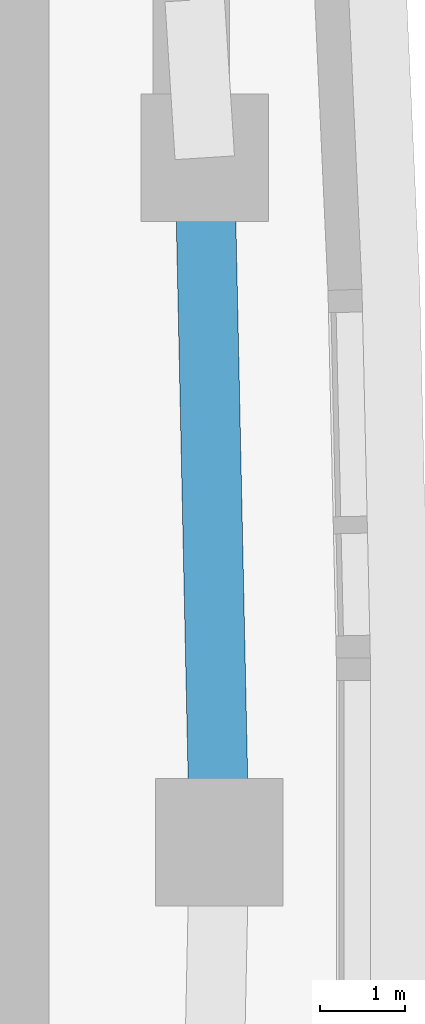
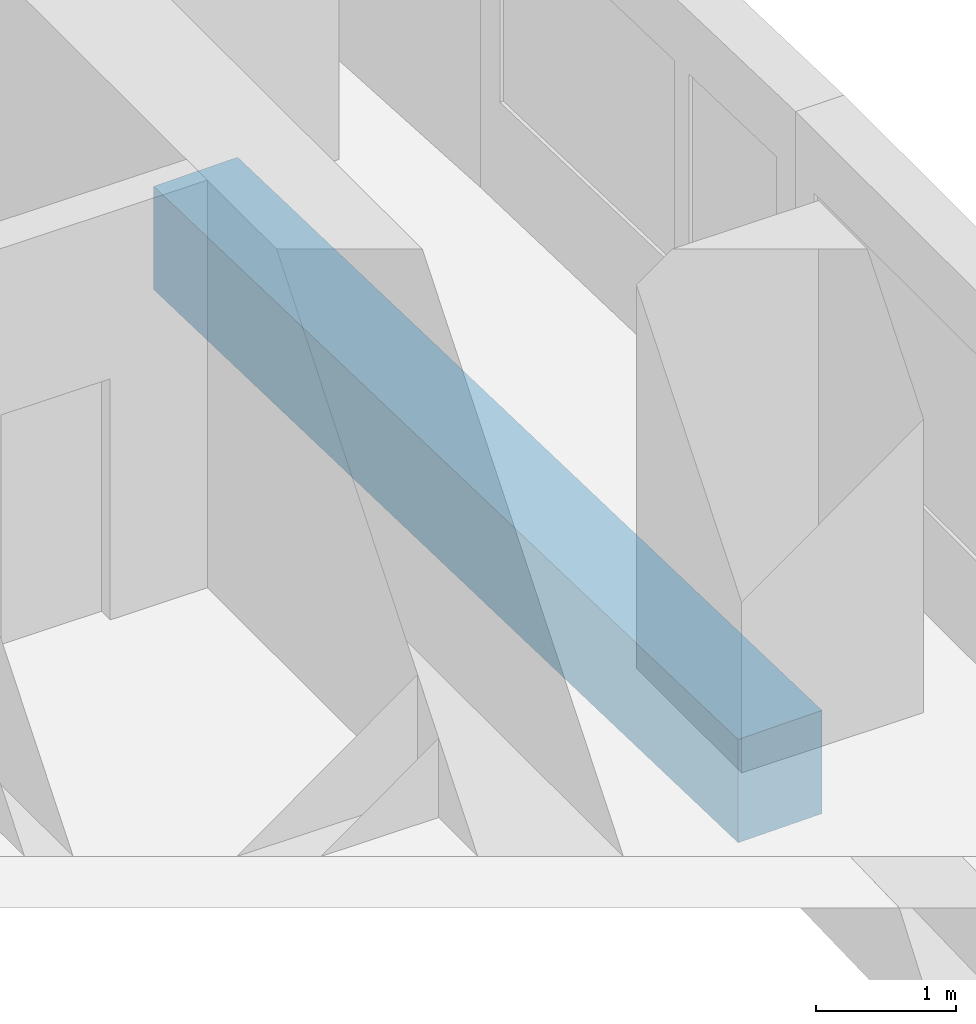
# One storey, part 4 of 17: 1 beam.
"""IFC4 building model written with IfcOpenShell, lengths in metres."""

from ifc_helpers import new_model, si_unit, direction, frame, origin, origin_2d, place, context, subcontext, project, spatial, rectangle, extrude, material, material_profile, profile_set, type_object, element, save


model = new_model("IFC4")

# Units and contexts
model_context = context("Model", 3, precision=1e-05, world=origin(), true_north=direction((0.0, 1.0)))
body_context = subcontext(model_context, "Body", "Model", "MODEL_VIEW")
ifc_project = project(units=[si_unit("LENGTHUNIT", "METRE"), si_unit("AREAUNIT", "SQUARE_METRE"), si_unit("VOLUMEUNIT", "CUBIC_METRE"), si_unit("PLANEANGLEUNIT", "RADIAN"), si_unit("MASSUNIT", "GRAM", prefix="KILO")], contexts=[model_context])

# Site, building, storey
site_placement = place(None, origin())
site = spatial("IfcSite", under=ifc_project, at=site_placement, CompositionType="ELEMENT")
building_placement = place(site_placement, origin())
building = spatial("IfcBuilding", under=site, at=building_placement, Name="Ostrand Prow Hotel Tower", CompositionType="ELEMENT")
storey_placement = place(building_placement, frame((0.0, 0.0, 151.5)))
storey = spatial("IfcBuildingStorey", under=building, at=storey_placement, Name="L37", CompositionType="ELEMENT", Elevation=151.5)

# Beam
ifc_material = material(Name="Concrete C70/85", Category="concrete")
ifc_material_profile = material_profile(ifc_material, rectangle(XDim=0.699951171875, YDim=0.89990234375, at=origin_2d()), Name="RC 700x900")
ifc_profile_set = profile_set([ifc_material_profile], Name="Concrete C70/85")
beam_type = type_object("IfcBeamType", Name="Edge beam 700x900 C70/85", PredefinedType="SPANDREL", material=ifc_profile_set)
beam_placement = place(storey_placement, frame((64.5, 0.0, -0.75), z_axis=(-0.021178217658, 0.999775716397, 0.0), x_axis=(-0.999775716397, -0.021178217658, 0.0)))
element("IfcBeam", 1, at=beam_placement, inside=storey, type_object=beam_type, Name="Edge beam B3-B4", PredefinedType="SPANDREL", context=body_context, shape_type="SweptSolid", body=[
    extrude(rectangle(XDim=0.699951171875, YDim=0.89990234375, at=origin_2d()), origin(), (0.0, 0.0, 1.0), 8.04638671875),
])

save(model, "model.ifc")
